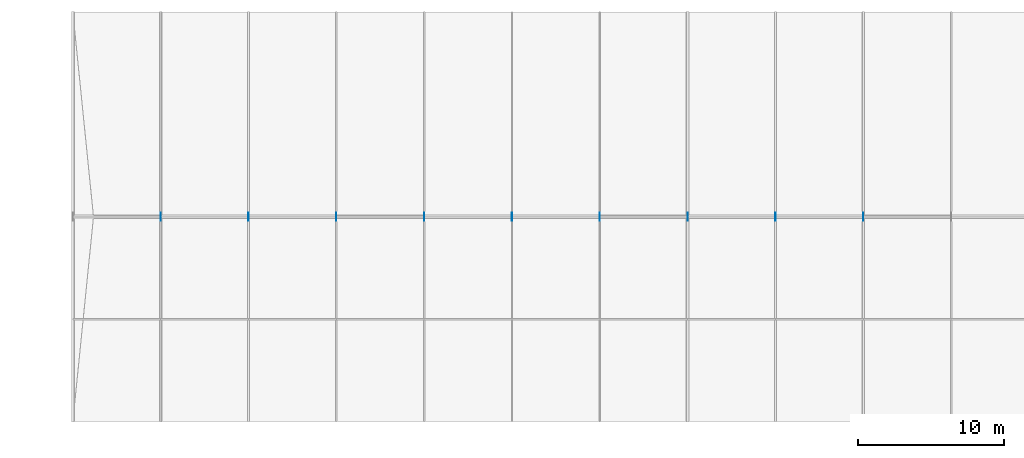
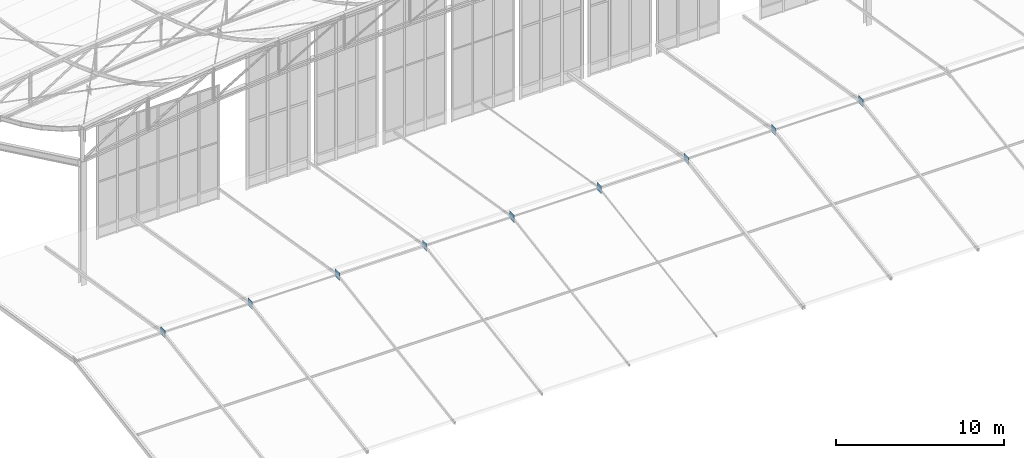
# One storey, part 249 of 262: 9 plates.
"""IFC4 building model written with IfcOpenShell, lengths in metres."""

from ifc_helpers import new_model, si_unit, derived_unit, direction, frame, origin, origin_2d, place, context, subcontext, project, spatial, rectangle, extrude, material, layer, layer_set, type_object, element, save


model = new_model("IFC4")

# Units and contexts
model_context = context("Model", 3, precision=1e-05, world=origin(), true_north=direction((0.0, 1.0)))
body_context = subcontext(model_context, "Body", "Model", "MODEL_VIEW")
ifc_project = project(units=[si_unit("LENGTHUNIT", "METRE"), si_unit("AREAUNIT", "SQUARE_METRE"), si_unit("VOLUMEUNIT", "CUBIC_METRE"), si_unit("PLANEANGLEUNIT", "RADIAN"), si_unit("MASSUNIT", "GRAM", prefix="KILO"), derived_unit("THERMALTRANSMITTANCEUNIT", [(si_unit("POWERUNIT", "WATT"), 1), (si_unit("LENGTHUNIT", "METRE"), -2), (si_unit("THERMODYNAMICTEMPERATUREUNIT", "KELVIN"), -1)])], contexts=[model_context])

# Site, building, storey
site_placement = place(None, origin())
site = spatial("IfcSite", under=ifc_project, at=site_placement, CompositionType="ELEMENT")
building_placement = place(site_placement, origin())
building = spatial("IfcBuilding", under=site, at=building_placement, Name="Almenara Railside Exhibition Hall", CompositionType="ELEMENT")
storey_placement = place(building_placement, frame((0.0, 0.0, 21.699951171875)))
storey = spatial("IfcBuildingStorey", under=building, at=storey_placement, Name="RF", CompositionType="ELEMENT", Elevation=21.699951171875)

# Plates
ifc_material = material(Name="Structural steel S355JR", Category="steel")
ifc_layer = layer(ifc_material, 0.01611328125, Name="Structural steel S355JR")
ifc_layer_set = layer_set([ifc_layer], Name="Structural steel S355JR")
plate_type = type_object("IfcPlateType", Name="Truss Node Gusset Plate 16mm S355JR", PredefinedType="USERDEFINED", material=ifc_layer_set)
for number, where, z_axis, x_axis, name in (
    (1, (132.0, 14.0, 0.8251953125), (0.0, 0.0, 1.0), (0.0, 1.0, 0.0), "PLT-GUS-0343"),
    (2, (138.0, 14.0, 0.8251953125), (0.0, 0.0, 1.0), (0.0, 1.0, 0.0), "PLT-GUS-0344"),
    (3, (144.0, 14.0, 0.8251953125), (0.0, 0.0, 1.0), (0.0, 1.0, 0.0), "PLT-GUS-0345"),
    (4, (150.0, 14.0, 0.8251953125), (0.0, 0.0, 1.0), (0.0, 1.0, 0.0), "PLT-GUS-0346"),
    (5, (156.0, 14.0, 0.8251953125), (0.0, 0.0, 1.0), (0.0, 1.0, 0.0), "PLT-GUS-0347"),
    (6, (162.0, 14.0, 0.8251953125), (0.0, 0.0, 1.0), (0.0, 1.0, 0.0), "PLT-GUS-0348"),
    (7, (168.0, 14.0, 0.8251953125), (0.0, 0.0, 1.0), (0.0, 1.0, 0.0), "PLT-GUS-0349"),
    (8, (174.0, 14.0, 0.8251953125), (0.0, 0.0, 1.0), (0.0, 1.0, 0.0), "PLT-GUS-0350"),
    (9, (180.0, 14.0, 0.8251953125), (0.0, 0.0, 1.0), (0.0, 1.0, 0.0), "PLT-GUS-0351"),
):
    element("IfcPlate", number, at=place(storey_placement, frame(where, z_axis=z_axis, x_axis=x_axis)), inside=storey, type_object=plate_type, Name=name, ObjectType="GUSSET_PLATE", PredefinedType="USERDEFINED", context=body_context, shape_type="SweptSolid", body=[
        extrude(rectangle(XDim=0.550048828125, YDim=0.01611328125, at=origin_2d()), origin(), (0.0, 0.0, 1.0), 0.550048828125),
    ])

save(model, "model.ifc")
